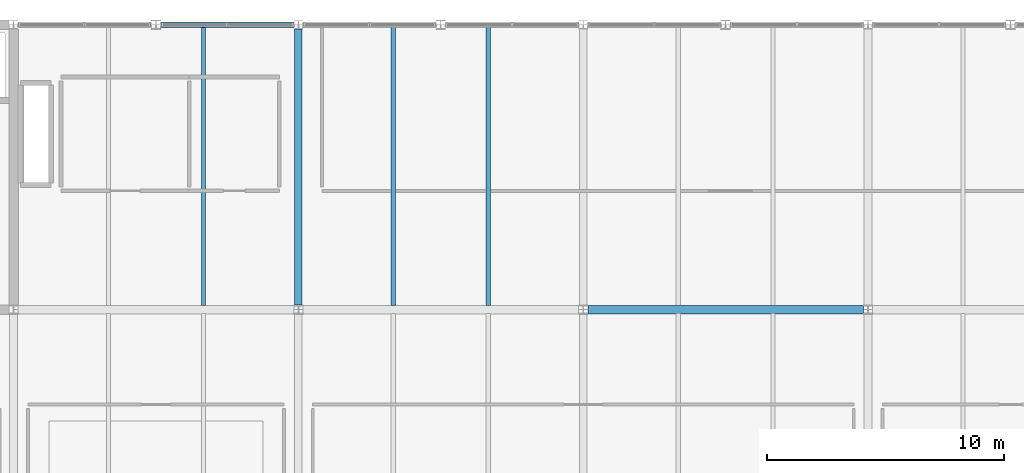
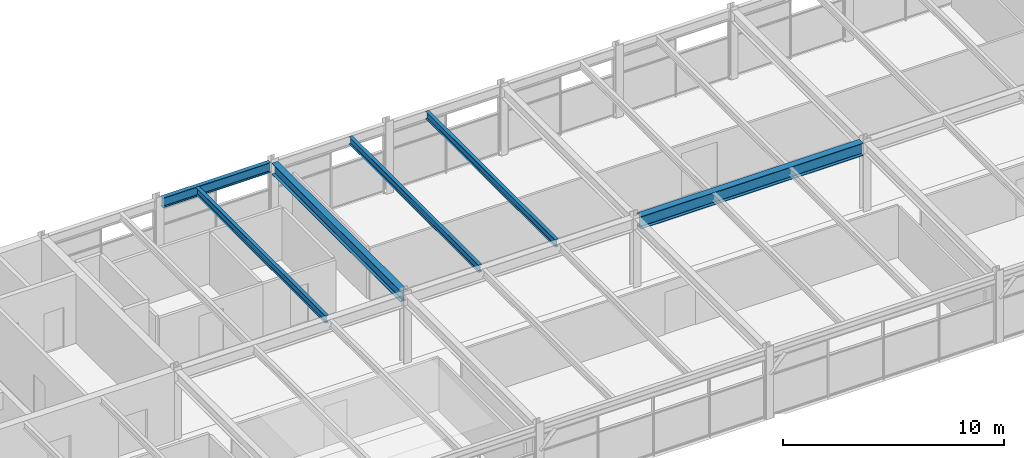
# One storey, part 19 of 40: 6 beams.
"""IFC4 building model written with IfcOpenShell, lengths in metres."""

from ifc_helpers import new_model, si_unit, direction, frame, origin, origin_2d, place, context, subcontext, project, spatial, i_section, extrude, material, material_profile, profile_set, type_object, element, save


model = new_model("IFC4")

# Units and contexts
model_context = context("Model", 3, precision=1e-05, world=origin(), true_north=direction((0.0, 1.0)))
body_context = subcontext(model_context, "Body", "Model", "MODEL_VIEW")
ifc_project = project(units=[si_unit("LENGTHUNIT", "METRE"), si_unit("AREAUNIT", "SQUARE_METRE"), si_unit("VOLUMEUNIT", "CUBIC_METRE"), si_unit("PLANEANGLEUNIT", "RADIAN"), si_unit("MASSUNIT", "GRAM", prefix="KILO")], contexts=[model_context])

# Site, building, storey
site_placement = place(None, origin())
site = spatial("IfcSite", under=ifc_project, at=site_placement, CompositionType="ELEMENT")
building_placement = place(site_placement, origin())
building = spatial("IfcBuilding", under=site, at=building_placement, Name="Girod Span Mobility Hub", CompositionType="ELEMENT")
storey_placement = place(building_placement, frame((0.0, 0.0, 53.60009765625)))
storey = spatial("IfcBuildingStorey", under=building, at=storey_placement, Name="L13", CompositionType="ELEMENT", Elevation=53.60009765625)

# Beams
ifc_material_1 = material(Name="Steel A992 Grade 50", Category="steel")
ifc_material_profile_1 = material_profile(ifc_material_1, i_section(OverallWidth=0.178955078125, OverallDepth=0.409912109375, WebThickness=0.0087890625, FlangeThickness=0.014404296875, FilletRadius=0.012939453125, at=origin_2d()), Name="W16X45")
ifc_profile_set_1 = profile_set([ifc_material_profile_1], Name="Steel A992 Grade 50")
beam_type_1 = type_object("IfcBeamType", Name="BM-STL-W16X45", PredefinedType="BEAM", material=ifc_profile_set_1)
for number, where, z_axis, x_axis, name in (
    (1, (68.0, 57.174560546875, 3.60986328125), (0.0, 1.0, 0.0), (-1.0, 0.0, 0.0), "Composite Floorbeam 6/E-2 L13"),
    (2, (76.0, 57.174560546875, 3.60986328125), (0.0, 1.0, 0.0), (-1.0, 0.0, 0.0), "Composite Floorbeam 7/E-1 L13"),
    (3, (80.0, 57.174560546875, 3.60986328125), (0.0, 1.0, 0.0), (-1.0, 0.0, 0.0), "Composite Floorbeam 7/E-2 L13"),
):
    element("IfcBeam", number, at=place(storey_placement, frame(where, z_axis=z_axis, x_axis=x_axis)), inside=storey, type_object=beam_type_1, Name=name, PredefinedType="BEAM", context=body_context, shape_type="SweptSolid", body=[
        extrude(i_section(OverallWidth=0.178955078125, OverallDepth=0.409912109375, WebThickness=0.0087890625, FlangeThickness=0.014404296875, FilletRadius=0.012939453125, at=origin_2d()), origin(), (0.0, 0.0, 1.0), 11.722412109375),
    ])
ifc_material_2 = material(Name="Steel A992 Grade 50", Category="steel")
ifc_material_profile_2 = material_profile(ifc_material_2, i_section(OverallWidth=0.2119140625, OverallDepth=0.5439453125, WebThickness=0.01318359375, FlangeThickness=0.021240234375, FilletRadius=0.014892578125, at=origin_2d()), Name="W21X83")
ifc_profile_set_2 = profile_set([ifc_material_profile_2], Name="Steel A992 Grade 50")
beam_type_2 = type_object("IfcBeamType", Name="BM-STL-W21X83", PredefinedType="SPANDREL", material=ifc_profile_set_2)
beam_1_placement = place(storey_placement, frame((66.194091796875, 69.0, 3.54296875), z_axis=(1.0, 0.0, 0.0), x_axis=(0.0, 1.0, 0.0)))
element("IfcBeam", 4, at=beam_1_placement, inside=storey, type_object=beam_type_2, Name="Spandrel Beam 6-7/F-E L13", PredefinedType="SPANDREL", context=body_context, shape_type="SweptSolid", body=[
    extrude(i_section(OverallWidth=0.2119140625, OverallDepth=0.5439453125, WebThickness=0.01318359375, FlangeThickness=0.021240234375, FilletRadius=0.014892578125, at=origin_2d()), origin(), (0.0, 0.0, 1.0), 5.62451171875),
])
ifc_material_3 = material(Name="Steel A992 Grade 50", Category="steel")
ifc_material_profile_3 = material_profile(ifc_material_3, i_section(OverallWidth=0.323974609375, OverallDepth=0.611083984375, WebThickness=0.0126953125, FlangeThickness=0.01904296875, FilletRadius=0.014892578125, at=origin_2d()), Name="W24X104")
ifc_profile_set_3 = profile_set([ifc_material_profile_3], Name="Steel A992 Grade 50")
beam_type_3 = type_object("IfcBeamType", Name="BM-STL-W24X104", PredefinedType="BEAM", material=ifc_profile_set_3)
beam_2_placement = place(storey_placement, frame((72.0, 57.1845703125, 3.509521484375), z_axis=(0.0, 1.0, 0.0), x_axis=(-1.0, 0.0, 0.0)))
element("IfcBeam", 5, at=beam_2_placement, inside=storey, type_object=beam_type_3, Name="Tie Girder 7/E-F L13", PredefinedType="BEAM", context=body_context, shape_type="SweptSolid", body=[
    extrude(i_section(OverallWidth=0.323974609375, OverallDepth=0.611083984375, WebThickness=0.0126953125, FlangeThickness=0.01904296875, FilletRadius=0.014892578125, at=origin_2d()), origin(), (0.0, 0.0, 1.0), 11.640380859375),
])
ifc_material_4 = material(Name="Steel A992 Grade 50", Category="steel")
ifc_material_profile_4 = material_profile(ifc_material_4, i_section(OverallWidth=0.35498046875, OverallDepth=0.695068359375, WebThickness=0.015380859375, FlangeThickness=0.02490234375, FilletRadius=0.01806640625, at=origin_2d()), Name="W27X146")
ifc_profile_set_4 = profile_set([ifc_material_profile_4], Name="Steel A992 Grade 50")
beam_type_4 = type_object("IfcBeamType", Name="BM-STL-W27X146", PredefinedType="BEAM", material=ifc_profile_set_4)
beam_3_placement = place(storey_placement, frame((84.194091796875, 57.0, 3.46728515625), z_axis=(1.0, 0.0, 0.0), x_axis=(0.0, 1.0, 0.0)))
element("IfcBeam", 6, at=beam_3_placement, inside=storey, type_object=beam_type_4, Name="Girder 8-9/E L13", PredefinedType="BEAM", context=body_context, shape_type="SweptSolid", body=[
    extrude(i_section(OverallWidth=0.35498046875, OverallDepth=0.695068359375, WebThickness=0.015380859375, FlangeThickness=0.02490234375, FilletRadius=0.01806640625, at=origin_2d()), origin(), (0.0, 0.0, 1.0), 11.61181640625),
])

save(model, "model.ifc")
